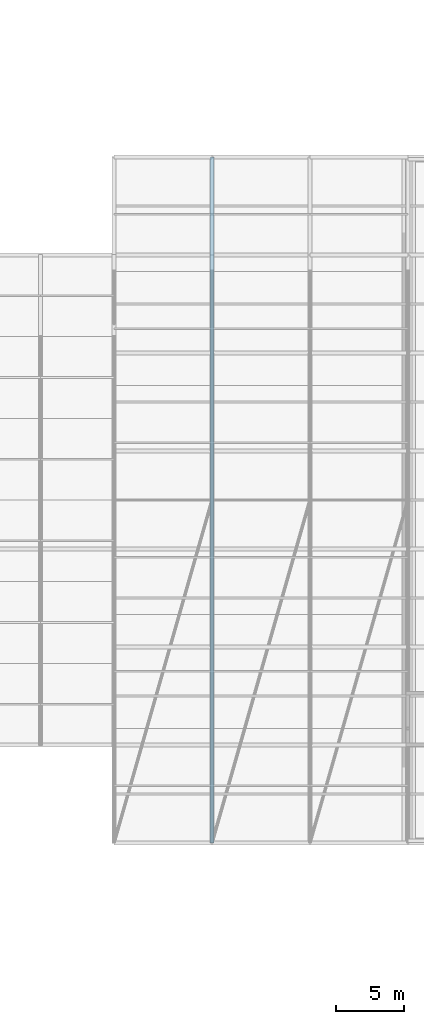
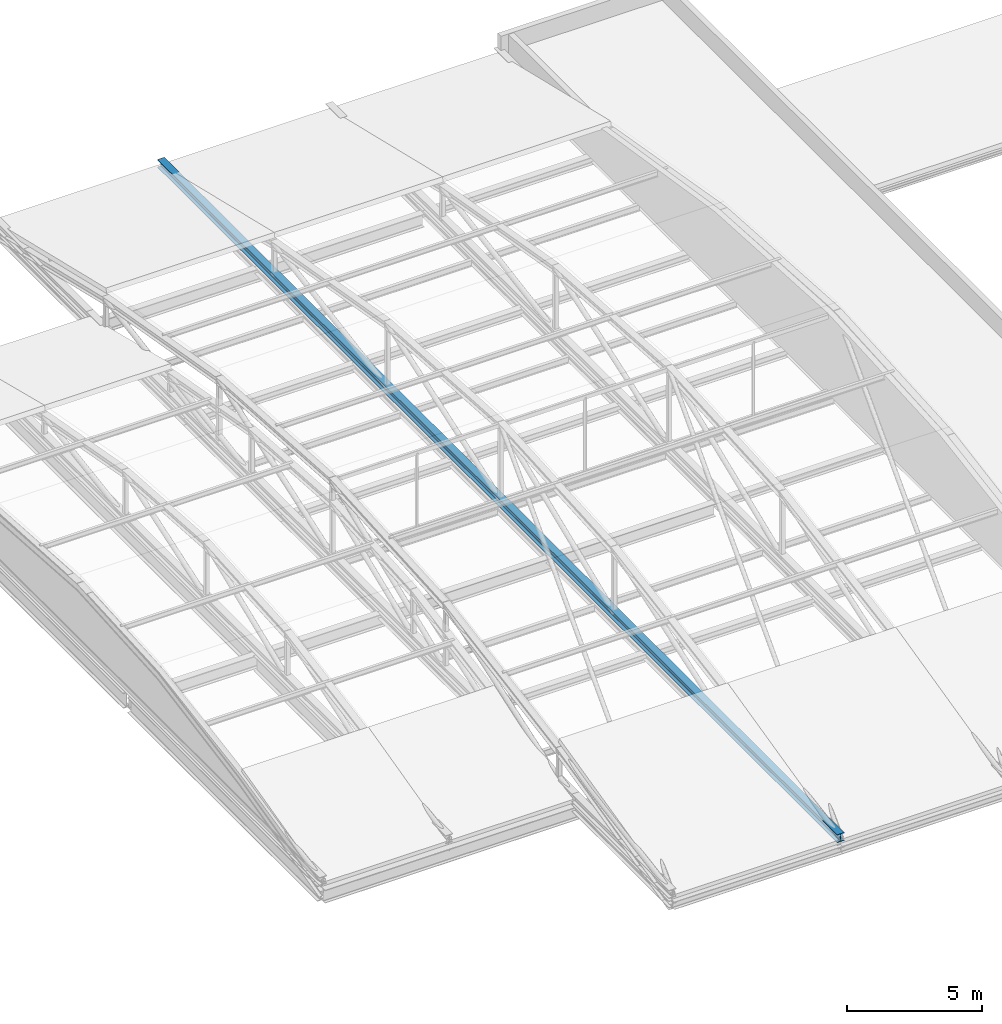
# One storey, part 31 of 76: 1 member.
"""IFC4 building model written with IfcOpenShell, lengths in metres."""

from ifc_helpers import new_model, si_unit, direction, frame, origin, origin_2d, place, context, subcontext, project, spatial, i_section, extrude, material, material_profile, profile_set, type_object, element, save


model = new_model("IFC4")

# Units and contexts
model_context = context("Model", 3, precision=1e-05, world=origin(), true_north=direction((0.0, 1.0)))
body_context = subcontext(model_context, "Body", "Model", "MODEL_VIEW")
ifc_project = project(units=[si_unit("LENGTHUNIT", "METRE"), si_unit("AREAUNIT", "SQUARE_METRE"), si_unit("VOLUMEUNIT", "CUBIC_METRE"), si_unit("PLANEANGLEUNIT", "RADIAN"), si_unit("MASSUNIT", "GRAM", prefix="KILO")], contexts=[model_context])

# Site, building, storey
site_placement = place(None, origin())
site = spatial("IfcSite", under=ifc_project, at=site_placement, CompositionType="ELEMENT")
building_placement = place(site_placement, origin())
building = spatial("IfcBuilding", under=site, at=building_placement, Name="Zlatovets Crest Museum", CompositionType="ELEMENT")
storey_placement = place(building_placement, frame((0.0, 0.0, 17.10009765625)))
storey = spatial("IfcBuildingStorey", under=building, at=storey_placement, Name="L04", CompositionType="ELEMENT", Elevation=17.10009765625)

# Member
ifc_material = material(Name="Structural steel S355J2", Category="steel")
ifc_material_profile = material_profile(ifc_material, i_section(OverallWidth=0.300048828125, OverallDepth=0.360107421875, WebThickness=0.012451171875, FlangeThickness=0.0224609375, FilletRadius=0.027099609375, at=origin_2d()), Name="HEB 360")
ifc_profile_set = profile_set([ifc_material_profile], Name="Structural steel S355J2")
member_type = type_object("IfcMemberType", Name="Member_TM-01", PredefinedType="CHORD", material=ifc_profile_set)
member_placement = place(storey_placement, frame((14.39990234375, 50.39990234375, 0.079833984375), z_axis=(0.0, 1.0, 0.0), x_axis=(-1.0, 0.0, 0.0)))
element("IfcMember", 1, at=member_placement, inside=storey, type_object=member_type, Name="V4 Art Nouveau Barrel Vault Tie Chord", PredefinedType="CHORD", context=body_context, shape_type="SweptSolid", body=[
    extrude(i_section(OverallWidth=0.300048828125, OverallDepth=0.360107421875, WebThickness=0.012451171875, FlangeThickness=0.0224609375, FilletRadius=0.027099609375, at=origin_2d()), origin(), (0.0, 0.0, 1.0), 50.400146484375),
])

save(model, "model.ifc")
